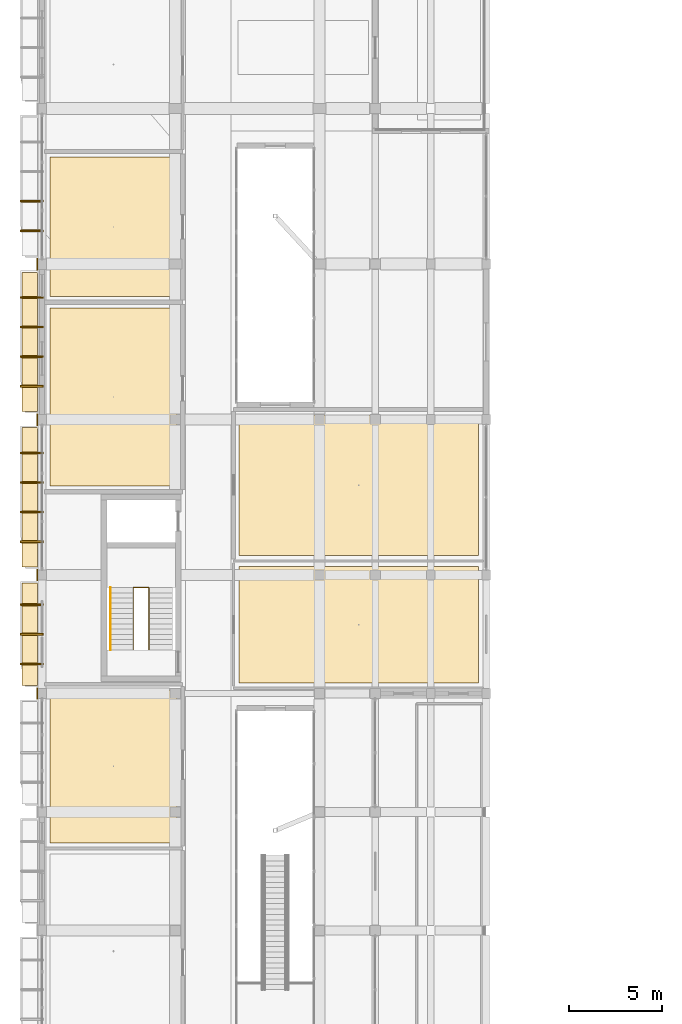
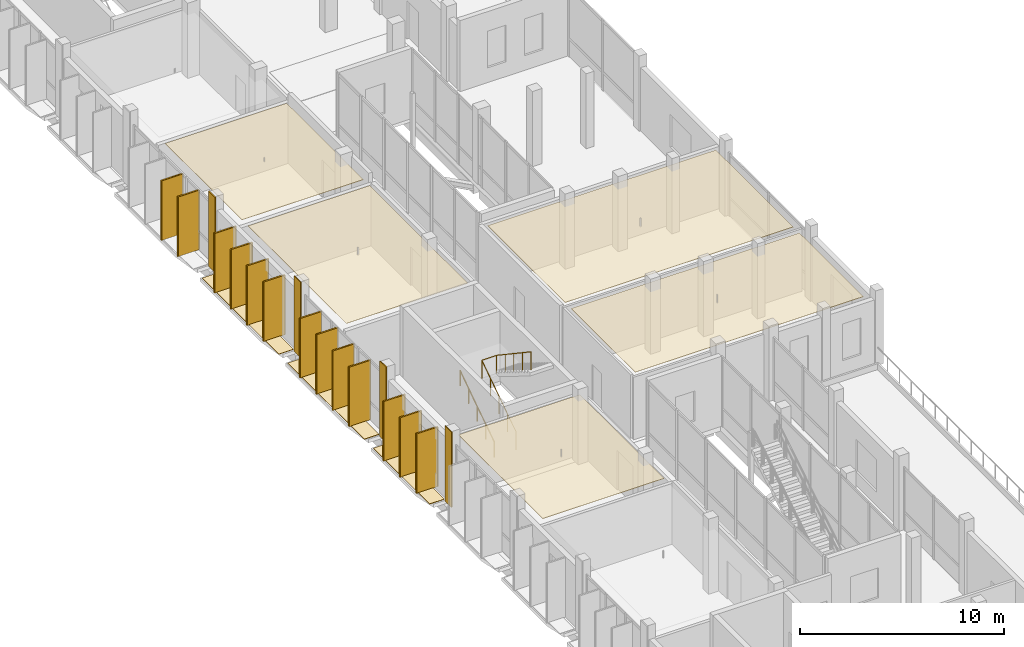
# One storey, part 83 of 95: 25 coverings, 13 shading devices, 2 railings.
"""IFC4 building model written with IfcOpenShell, lengths in metres."""

from ifc_helpers import new_model, si_unit, derived_unit, direction, frame, origin, origin_2d, place, context, subcontext, project, spatial, polyline, rectangle, circle, outline, extrude, material, layer, layer_set, type_object, element, save


model = new_model("IFC4")

# Units and contexts
model_context = context("Model", 3, precision=1e-05, world=origin(), true_north=direction((0.0, 1.0)))
body_context = subcontext(model_context, "Body", "Model", "MODEL_VIEW")
ifc_project = project(units=[si_unit("LENGTHUNIT", "METRE"), si_unit("AREAUNIT", "SQUARE_METRE"), si_unit("VOLUMEUNIT", "CUBIC_METRE"), si_unit("PLANEANGLEUNIT", "RADIAN"), si_unit("MASSUNIT", "GRAM", prefix="KILO"), derived_unit("THERMALTRANSMITTANCEUNIT", [(si_unit("POWERUNIT", "WATT"), 1), (si_unit("LENGTHUNIT", "METRE"), -2), (si_unit("THERMODYNAMICTEMPERATUREUNIT", "KELVIN"), -1)])], contexts=[model_context])

# Site, building, storey
site_placement = place(None, origin())
site = spatial("IfcSite", under=ifc_project, at=site_placement, CompositionType="ELEMENT")
building_placement = place(site_placement, origin())
building = spatial("IfcBuilding", under=site, at=building_placement, Name="Braskholm Square Health Centre", CompositionType="ELEMENT")
storey_placement = place(building_placement, frame((0.0, 0.0, 4.800048828125)))
storey = spatial("IfcBuildingStorey", under=building, at=storey_placement, Name="L02", CompositionType="ELEMENT", Elevation=4.800048828125)

# Coverings
ifc_material_1 = material(Name="Fire-rated gypsum board barrier")
ifc_layer_1 = layer(ifc_material_1, 0.02490234375)
ifc_layer_set_1 = layer_set([ifc_layer_1], Name="Fire-rated gypsum board barrier")
covering_type_1 = type_object("IfcCoveringType", Name="AcousticClinicalCeilingTile", PredefinedType="CEILING", material=ifc_layer_set_1)
covering_1_placement = place(storey_placement, frame((0.0, 0.0, 3.764892578125)))
element("IfcCovering", 1, at=covering_1_placement, inside=storey, type_object=covering_type_1, Name="Acoustic ceiling L02-050", PredefinedType="CEILING", context=body_context, shape_type="SweptSolid", body=[
    extrude(outline(polyline([(4.6201171875, 40.929931640625), (11.5, 40.929931640625), (11.5, 49.199951171875), (4.6201171875, 49.199951171875), (4.6201171875, 40.929931640625)])), origin(), (0.0, 0.0, 1.0), 0.025146484375),
])
covering_2_placement = place(storey_placement, frame((0.0, 0.0, 3.764892578125)))
element("IfcCovering", 2, at=covering_2_placement, inside=storey, type_object=covering_type_1, Name="Acoustic ceiling L02-051", PredefinedType="CEILING", context=body_context, shape_type="SweptSolid", body=[
    extrude(outline(polyline([(4.6201171875, 60.199951171875), (11.5, 60.199951171875), (11.5, 69.840087890625), (4.6201171875, 69.840087890625), (4.6201171875, 60.199951171875)])), origin(), (0.0, 0.0, 1.0), 0.025146484375),
])
covering_3_placement = place(storey_placement, frame((0.0, 0.0, 3.764892578125)))
element("IfcCovering", 3, at=covering_3_placement, inside=storey, type_object=covering_type_1, Name="Acoustic ceiling L02-052", PredefinedType="CEILING", context=body_context, shape_type="SweptSolid", body=[
    extrude(outline(polyline([(4.6201171875, 70.43994140625), (11.5, 70.43994140625), (11.5, 77.97998046875), (4.6201171875, 77.97998046875), (4.6201171875, 70.43994140625)])), origin(), (0.0, 0.0, 1.0), 0.025146484375),
])
covering_4_placement = place(storey_placement, frame((0.0, 0.0, 3.704833984375)))
element("IfcCovering", 4, at=covering_4_placement, inside=storey, type_object=covering_type_1, Name="Acoustic ceiling L02-064", PredefinedType="CEILING", context=body_context, shape_type="SweptSolid", body=[
    extrude(outline(polyline([(14.85009765625, 49.580078125), (27.780029296875, 49.580078125), (27.780029296875, 55.860107421875), (14.85009765625, 55.860107421875), (14.85009765625, 49.580078125)])), origin(), (0.0, 0.0, 1.0), 0.025146484375),
])
covering_5_placement = place(storey_placement, frame((0.0, 0.0, 3.704833984375)))
element("IfcCovering", 5, at=covering_5_placement, inside=storey, type_object=covering_type_1, Name="Acoustic ceiling L02-065", PredefinedType="CEILING", context=body_context, shape_type="SweptSolid", body=[
    extrude(outline(polyline([(14.85009765625, 56.4599609375), (27.780029296875, 56.4599609375), (27.780029296875, 64.050048828125), (14.85009765625, 64.050048828125), (14.85009765625, 56.4599609375)])), origin(), (0.0, 0.0, 1.0), 0.025146484375),
])

# Railing
ifc_material_2 = material(Name="Dark patinated chevron architectural bronze", Category="aluminium")
railing_type_1 = type_object("IfcRailingType", Name="BronzeChevronGuardrail1100", PredefinedType="GUARDRAIL", material=ifc_material_2)
railing_1_placement = place(storey_placement, frame((9.1298828125, 51.360107421875, 0.0)))
element("IfcRailing", 6, at=railing_1_placement, inside=storey, type_object=railing_type_1, Name="Stair ST-02 inner well guardrail L02", PredefinedType="GUARDRAIL", context=body_context, shape_type="SweptSolid", body=[
    extrude(circle(Radius=0.02392578125, at=origin_2d()), frame((0.0, 0.0, 1.076171875), z_axis=(0.0, 0.830896709279, 0.556426687452), x_axis=(-1.0, 0.0, 0.0)), (0.0, 0.0, 1.0), 4.043701171875),
    extrude(circle(Radius=0.02392578125, at=origin_2d()), frame((0.0, 3.35986328125, 3.326171875), z_axis=(1.0, 0.0, 0.0), x_axis=(0.0, 1.0, 0.0)), (0.0, 0.0, 1.0), 0.840087890625),
    extrude(circle(Radius=0.02392578125, at=origin_2d()), frame((0.840087890625, 3.35986328125, 3.326171875), z_axis=(0.0, -0.830896709279, 0.556426687452), x_axis=(1.0, 0.0, 0.0)), (0.0, 0.0, 1.0), 4.043701171875),
    extrude(circle(Radius=0.02099609375, at=origin_2d()), origin(), (0.0, 0.0, 1.0), 1.052001953125),
    extrude(circle(Radius=0.02099609375, at=origin_2d()), frame((0.0, 0.83984375, 0.5625)), (0.0, 0.0, 1.0), 1.052001953125),
    extrude(circle(Radius=0.02099609375, at=origin_2d()), frame((0.0, 1.679931640625, 1.125)), (0.0, 0.0, 1.0), 1.052001953125),
    extrude(circle(Radius=0.02099609375, at=origin_2d()), frame((0.0, 2.52001953125, 1.6875)), (0.0, 0.0, 1.0), 1.052001953125),
    extrude(circle(Radius=0.02099609375, at=origin_2d()), frame((0.0, 3.35986328125, 2.25)), (0.0, 0.0, 1.0), 1.052001953125),
    extrude(circle(Radius=0.02099609375, at=origin_2d()), frame((0.840087890625, 3.35986328125, 2.25)), (0.0, 0.0, 1.0), 1.052001953125),
    extrude(circle(Radius=0.02099609375, at=origin_2d()), frame((0.840087890625, 2.52001953125, 2.8125)), (0.0, 0.0, 1.0), 1.052001953125),
    extrude(circle(Radius=0.02099609375, at=origin_2d()), frame((0.840087890625, 1.679931640625, 3.375)), (0.0, 0.0, 1.0), 1.052001953125),
    extrude(circle(Radius=0.02099609375, at=origin_2d()), frame((0.840087890625, 0.83984375, 3.9375)), (0.0, 0.0, 1.0), 1.052001953125),
    extrude(circle(Radius=0.02099609375, at=origin_2d()), frame((0.840087890625, 0.0, 4.5)), (0.0, 0.0, 1.0), 1.052001953125),
])

# Shading devices
ifc_material_3 = material(Name="Thermally modified western red cedar with bronze trim", Category="wood")
shading_device_type = type_object("IfcShadingDeviceType", Name="CedarBronzeShadingFin1250", PredefinedType="USERDEFINED", material=ifc_material_3)
for number, where, z_axis, x_axis, name in (
    (7, (3.635009765625, 50.60009765625, 0.0), (0.0, 0.0, 1.0), (1.0, 0.0, 0.0), "Warm cedar-bronze vertical shading slat 0022"),
    (8, (3.635009765625, 52.199951171875, 0.0), (0.0, 0.0, 1.0), (1.0, 0.0, 0.0), "Warm cedar-bronze vertical shading slat 0023"),
    (9, (3.635009765625, 53.800048828125, 0.0), (0.0, 0.0, 1.0), (1.0, 0.0, 0.0), "Warm cedar-bronze vertical shading slat 0024"),
    (10, (3.635009765625, 57.199951171875, 0.0), (0.0, 0.0, 1.0), (1.0, 0.0, 0.0), "Warm cedar-bronze vertical shading slat 0025"),
    (11, (3.635009765625, 58.800048828125, 0.0), (0.0, 0.0, 1.0), (1.0, 0.0, 0.0), "Warm cedar-bronze vertical shading slat 0026"),
    (12, (3.635009765625, 60.39990234375, 0.0), (0.0, 0.0, 1.0), (1.0, 0.0, 0.0), "Warm cedar-bronze vertical shading slat 0027"),
    (13, (3.635009765625, 62.0, 0.0), (0.0, 0.0, 1.0), (1.0, 0.0, 0.0), "Warm cedar-bronze vertical shading slat 0028"),
    (14, (3.635009765625, 65.60009765625, 0.0), (0.0, 0.0, 1.0), (1.0, 0.0, 0.0), "Warm cedar-bronze vertical shading slat 0029"),
    (15, (3.635009765625, 67.199951171875, 0.0), (0.0, 0.0, 1.0), (1.0, 0.0, 0.0), "Warm cedar-bronze vertical shading slat 0030"),
    (16, (3.635009765625, 68.800048828125, 0.0), (0.0, 0.0, 1.0), (1.0, 0.0, 0.0), "Warm cedar-bronze vertical shading slat 0031"),
    (17, (3.635009765625, 70.39990234375, 0.0), (0.0, 0.0, 1.0), (1.0, 0.0, 0.0), "Warm cedar-bronze vertical shading slat 0032"),
    (18, (3.635009765625, 74.0, 0.0), (0.0, 0.0, 1.0), (1.0, 0.0, 0.0), "Warm cedar-bronze vertical shading slat 0033"),
    (19, (3.635009765625, 75.60009765625, 0.0), (0.0, 0.0, 1.0), (1.0, 0.0, 0.0), "Warm cedar-bronze vertical shading slat 0034"),
):
    element("IfcShadingDevice", number, at=place(storey_placement, frame(where, z_axis=z_axis, x_axis=x_axis)), inside=storey, type_object=shading_device_type, Name=name, ObjectType="FIN", PredefinedType="USERDEFINED", context=body_context, shape_type="SweptSolid", body=[
        extrude(rectangle(XDim=1.25, YDim=0.0849609375, at=origin_2d()), origin(), (0.0, 0.0, 1.0), 3.570068359375),
    ])

# Coverings
ifc_layer_2 = layer(ifc_material_3, 0.0849609375)
ifc_layer_set_2 = layer_set([ifc_layer_2], Name="Thermally modified western red cedar with bronze trim")
covering_type_2 = type_object("IfcCoveringType", Name="CedarBronzeSlatCladding", PredefinedType="CLADDING", material=ifc_layer_set_2)
for number, where, z_axis, x_axis, name in (
    (20, (3.6298828125, 50.60009765625, 0.0), (0.0, 0.0, 1.0), (1.0, 0.0, 0.0), "Cedar-bronze shading slat trim 0424"),
    (21, (3.6298828125, 52.199951171875, 0.0), (0.0, 0.0, 1.0), (1.0, 0.0, 0.0), "Cedar-bronze shading slat trim 0425"),
    (22, (3.6298828125, 53.800048828125, 0.0), (0.0, 0.0, 1.0), (1.0, 0.0, 0.0), "Cedar-bronze shading slat trim 0426"),
    (23, (3.6298828125, 57.199951171875, 0.0), (0.0, 0.0, 1.0), (1.0, 0.0, 0.0), "Cedar-bronze shading slat trim 0428"),
    (24, (3.6298828125, 58.800048828125, 0.0), (0.0, 0.0, 1.0), (1.0, 0.0, 0.0), "Cedar-bronze shading slat trim 0429"),
    (25, (3.6298828125, 60.39990234375, 0.0), (0.0, 0.0, 1.0), (1.0, 0.0, 0.0), "Cedar-bronze shading slat trim 0430"),
    (26, (3.6298828125, 62.0, 0.0), (0.0, 0.0, 1.0), (1.0, 0.0, 0.0), "Cedar-bronze shading slat trim 0431"),
    (27, (3.6298828125, 65.60009765625, 0.0), (0.0, 0.0, 1.0), (1.0, 0.0, 0.0), "Cedar-bronze shading slat trim 0433"),
    (28, (3.6298828125, 67.199951171875, 0.0), (0.0, 0.0, 1.0), (1.0, 0.0, 0.0), "Cedar-bronze shading slat trim 0434"),
    (29, (3.6298828125, 68.800048828125, 0.0), (0.0, 0.0, 1.0), (1.0, 0.0, 0.0), "Cedar-bronze shading slat trim 0435"),
    (30, (3.6298828125, 70.39990234375, 0.0), (0.0, 0.0, 1.0), (1.0, 0.0, 0.0), "Cedar-bronze shading slat trim 0436"),
    (31, (3.6298828125, 74.0, 0.0), (0.0, 0.0, 1.0), (1.0, 0.0, 0.0), "Cedar-bronze shading slat trim 0438"),
    (32, (3.6298828125, 75.60009765625, 0.0), (0.0, 0.0, 1.0), (1.0, 0.0, 0.0), "Cedar-bronze shading slat trim 0439"),
):
    element("IfcCovering", number, at=place(storey_placement, frame(where, z_axis=z_axis, x_axis=x_axis)), inside=storey, type_object=covering_type_2, Name=name, PredefinedType="CLADDING", context=body_context, shape_type="SweptSolid", body=[
        extrude(rectangle(XDim=1.179931640625, YDim=0.094970703125, at=origin_2d()), origin(), (0.0, 0.0, 1.0), 3.570068359375),
    ])
ifc_material_4 = material(Name="Intensive botanical sedum and native prairie garden bed")
ifc_layer_3 = layer(ifc_material_4, 0.02490234375)
ifc_layer_set_3 = layer_set([ifc_layer_3], Name="Intensive botanical sedum and native prairie garden bed")
covering_type_3 = type_object("IfcCoveringType", Name="PlantedTerraceGardenBed", PredefinedType="ROOFING", material=ifc_layer_set_3)
covering_6_placement = place(storey_placement, origin())
element("IfcCovering", 33, at=covering_6_placement, inside=storey, type_object=covering_type_3, Name="West floor planter ledge sedum strip 0427", PredefinedType="ROOFING", context=body_context, shape_type="SweptSolid", body=[
    extrude(outline(polyline([(3.1201171875, 49.43994140625), (3.949951171875, 49.43994140625), (3.949951171875, 54.9599609375), (3.1201171875, 54.9599609375), (3.1201171875, 49.43994140625)])), origin(), (0.0, 0.0, 1.0), 0.02490234375),
])
covering_7_placement = place(storey_placement, origin())
element("IfcCovering", 34, at=covering_7_placement, inside=storey, type_object=covering_type_3, Name="West floor planter ledge sedum strip 0432", PredefinedType="ROOFING", context=body_context, shape_type="SweptSolid", body=[
    extrude(outline(polyline([(3.1201171875, 55.840087890625), (3.949951171875, 55.840087890625), (3.949951171875, 63.360107421875), (3.1201171875, 63.360107421875), (3.1201171875, 55.840087890625)])), origin(), (0.0, 0.0, 1.0), 0.02490234375),
])
covering_8_placement = place(storey_placement, origin())
element("IfcCovering", 35, at=covering_8_placement, inside=storey, type_object=covering_type_3, Name="West floor planter ledge sedum strip 0437", PredefinedType="ROOFING", context=body_context, shape_type="SweptSolid", body=[
    extrude(outline(polyline([(3.1201171875, 64.239990234375), (3.949951171875, 64.239990234375), (3.949951171875, 71.760009765625), (3.1201171875, 71.760009765625), (3.1201171875, 64.239990234375)])), origin(), (0.0, 0.0, 1.0), 0.02490234375),
])
ifc_material_5 = material(Name="Precast concrete C40/50 architectural white", Category="concrete")
ifc_layer_4 = layer(ifc_material_5, 0.054931640625)
ifc_layer_set_4 = layer_set([ifc_layer_4], Name="Precast concrete C40/50 architectural white")
covering_type_4 = type_object("IfcCoveringType", Name="PrecastWhiteColumnCasing", PredefinedType="CLADDING", material=ifc_layer_set_4)
for number, where, z_axis, x_axis, name in (
    (36, (3.945068359375, 49.0, 0.0), (0.0, 0.0, 1.0), (1.0, 0.0, 0.0), "Giant-order white precast column casing 0065"),
    (37, (3.945068359375, 55.39990234375, 0.0), (0.0, 0.0, 1.0), (1.0, 0.0, 0.0), "Giant-order white precast column casing 0074"),
    (38, (3.945068359375, 63.800048828125, 0.0), (0.0, 0.0, 1.0), (1.0, 0.0, 0.0), "Giant-order white precast column casing 0083"),
    (39, (3.945068359375, 72.199951171875, 0.0), (0.0, 0.0, 1.0), (1.0, 0.0, 0.0), "Giant-order white precast column casing 0092"),
):
    element("IfcCovering", number, at=place(storey_placement, frame(where, z_axis=z_axis, x_axis=x_axis)), inside=storey, type_object=covering_type_4, Name=name, PredefinedType="CLADDING", context=body_context, shape_type="SweptSolid", body=[
        extrude(rectangle(XDim=0.06005859375, YDim=0.639892578125, at=origin_2d()), origin(), (0.0, 0.0, 1.0), 4.5),
    ])

# Railing
railing_type_2 = type_object("IfcRailingType", Name="StairTubularHandrail915", PredefinedType="HANDRAIL", material=ifc_material_2)
railing_2_placement = place(storey_placement, frame((7.89990234375, 51.360107421875, 0.0)))
element("IfcRailing", 40, at=railing_2_placement, inside=storey, type_object=railing_type_2, Name="Stair ST-02 wall handrail F1 L02", PredefinedType="HANDRAIL", context=body_context, shape_type="SweptSolid", body=[
    extrude(circle(Radius=0.02392578125, at=origin_2d()), frame((0.0, 0.0, 0.89111328125), z_axis=(0.0, 0.830896709279, 0.556426687452), x_axis=(-1.0, 0.0, 0.0)), (0.0, 0.0, 1.0), 4.043701171875),
    extrude(circle(Radius=0.02099609375, at=origin_2d()), origin(), (0.0, 0.0, 1.0), 0.866943359375),
    extrude(circle(Radius=0.02099609375, at=origin_2d()), frame((0.0, 0.83984375, 0.5625)), (0.0, 0.0, 1.0), 0.866943359375),
    extrude(circle(Radius=0.02099609375, at=origin_2d()), frame((0.0, 1.679931640625, 1.125)), (0.0, 0.0, 1.0), 0.866943359375),
    extrude(circle(Radius=0.02099609375, at=origin_2d()), frame((0.0, 2.52001953125, 1.6875)), (0.0, 0.0, 1.0), 0.866943359375),
    extrude(circle(Radius=0.02099609375, at=origin_2d()), frame((0.0, 3.35986328125, 2.25)), (0.0, 0.0, 1.0), 0.866943359375),
])

save(model, "model.ifc")
